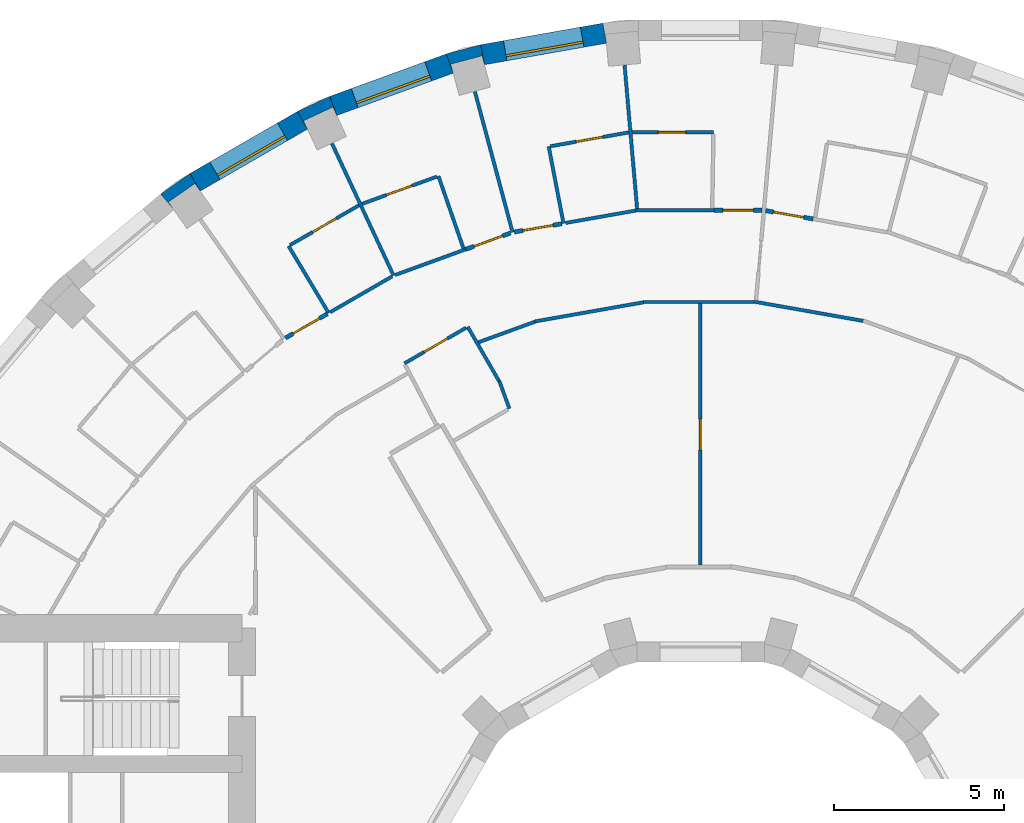
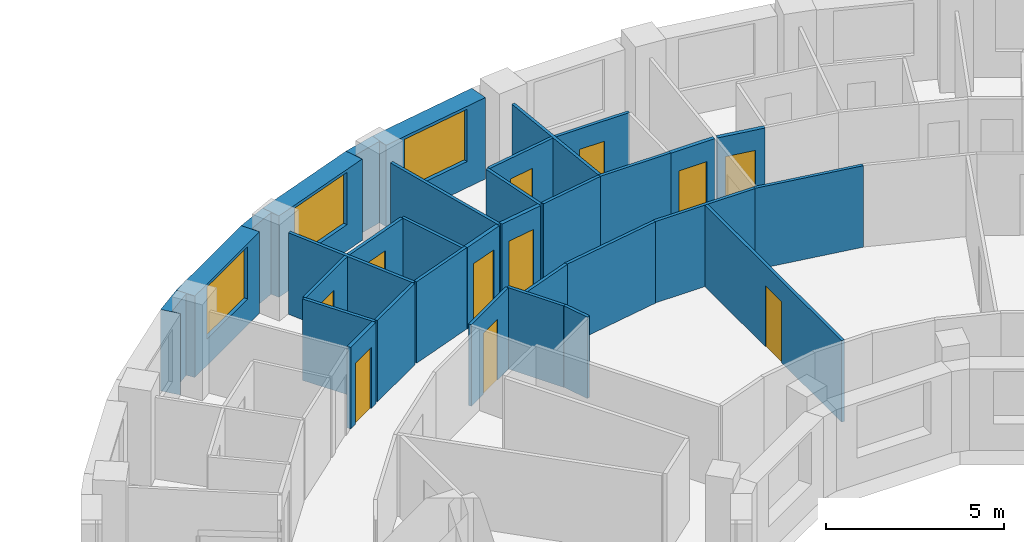
# One storey, part 9 of 12: 33 walls, 11 doors, 3 windows, 14 openings.
"""IFC4 building model written with IfcOpenShell, lengths in metres."""

from ifc_helpers import new_model, si_unit, direction, frame, frame_2d, origin, place, context, subcontext, project, spatial, polyline, rectangle, outline, extrude, material, layer, layer_set, type_object, element, fill, save


model = new_model("IFC4")

# Units and contexts
model_context = context("Model", 3, precision=1e-05, world=origin(), true_north=direction((0.0, 1.0)))
body_context = subcontext(model_context, "Body", "Model", "MODEL_VIEW")
ifc_project = project(units=[si_unit("LENGTHUNIT", "METRE"), si_unit("AREAUNIT", "SQUARE_METRE"), si_unit("VOLUMEUNIT", "CUBIC_METRE"), si_unit("PLANEANGLEUNIT", "RADIAN"), si_unit("MASSUNIT", "GRAM", prefix="KILO")], contexts=[model_context])

# Site, building, storey
site_placement = place(None, origin())
site = spatial("IfcSite", under=ifc_project, at=site_placement, CompositionType="ELEMENT")
building_placement = place(site_placement, origin())
building = spatial("IfcBuilding", under=site, at=building_placement, Name="Saqina Gate Tower", CompositionType="ELEMENT")
storey_placement = place(building_placement, frame((0.0, 0.0, 111.699951171875)))
storey = spatial("IfcBuildingStorey", under=building, at=storey_placement, Name="L31", CompositionType="ELEMENT", Elevation=111.699951171875)

# Walls
ifc_material_1 = material(Name="Brick masonry (buff)", Category="masonry")
wall_type_1 = type_object("IfcWallType", Name="BRICK PIER COPING BUFF", PredefinedType="SOLIDWALL", material=ifc_material_1)
wall_1_placement = place(storey_placement, origin())
element("IfcWall", 1, at=wall_1_placement, inside=storey, type_object=wall_type_1, Name="Pier cap L31 column 11", PredefinedType="SOLIDWALL", context=body_context, shape_type="SweptSolid", body=[
    extrude(outline(polyline([(-6.466796875, 26.171875), (-7.485595703125, 25.89892578125), (-7.2802734375, 25.335205078125), (-7.349853515625, 25.5947265625), (-6.43212890625, 25.8408203125), (-6.36279296875, 25.5810546875), (-6.466796875, 26.171875)])), origin(), (0.0, 0.0, 1.0), 2.800048828125),
])
wall_2_placement = place(storey_placement, origin())
element("IfcWall", 2, at=wall_2_placement, inside=storey, type_object=wall_type_1, Name="Pier cap L31 column 12", PredefinedType="SOLIDWALL", context=body_context, shape_type="SweptSolid", body=[
    extrude(outline(polyline([(-10.913330078125, 24.6513671875), (-11.869140625, 24.205810546875), (-11.569091796875, 23.68603515625), (-11.6826171875, 23.9296875), (-10.82177734375, 24.331298828125), (-10.7080078125, 24.08740234375), (-10.913330078125, 24.6513671875)])), origin(), (0.0, 0.0, 1.0), 2.800048828125),
])
wall_3_placement = place(storey_placement, origin())
element("IfcWall", 3, at=wall_3_placement, inside=storey, type_object=wall_type_1, Name="Pier cap L31 column 13", PredefinedType="SOLIDWALL", context=body_context, shape_type="SweptSolid", body=[
    extrude(outline(polyline([(-15.89208984375, 21.77685546875), (-15.50634765625, 21.317138671875), (-15.66064453125, 21.53759765625), (-14.88232421875, 22.08251953125), (-14.728271484375, 21.862060546875), (-15.0283203125, 22.3818359375), (-15.89208984375, 21.77685546875)])), origin(), (0.0, 0.0, 1.0), 2.800048828125),
])

# Wall, opening, window
ifc_material_2 = material(Name="Brick masonry (buff)", Category="masonry")
ifc_layer_1 = layer(ifc_material_2, 0.60009765625)
ifc_layer_set_1 = layer_set([ifc_layer_1], Name="FW-BRICK-BUFF")
wall_type_2 = type_object("IfcWallType", Name="FW-BRICK-BUFF", PredefinedType="SOLIDWALL", material=ifc_layer_set_1)
wall_4_placement = place(storey_placement, frame((-2.822265625, 26.510009765625, 0.0), z_axis=(0.0, 0.0, 1.0), x_axis=(-0.984803764455, -0.173670796382, 0.0)))
wall_4 = element("IfcWall", 4, at=wall_4_placement, inside=storey, type_object=wall_type_2, Name="Facade wall L31 facet 10", PredefinedType="SOLIDWALL", context=body_context, shape_type="SweptSolid", body=[
    extrude(rectangle(XDim=3.64794921875, YDim=0.60009765625, at=frame_2d((1.823974609375, 0.0))), origin(), (0.0, 0.0, 1.0), 2.800048828125),
])
opening_1_placement = place(wall_4_placement, frame((0.673828125, 0.0, 0.89990234375)))
opening_1 = element("IfcOpeningElement", 5, at=opening_1_placement, cuts=wall_4, Name="Opening G09-W08", PredefinedType="OPENING", context=body_context, shape_type="SweptSolid", body=[
    extrude(rectangle(XDim=2.300048828125, YDim=1.800048828125, at=frame_2d((1.14990234375, 0.89990234375))), frame((0.0, 0.31201171875, 0.0), z_axis=(0.0, -1.0, 0.0), x_axis=(1.0, 0.0, 0.0)), (0.0, 0.0, 1.0), 0.6240234375),
])
ifc_material_3 = material(Name="Aluminium glazing", Category="aluminium")
window_type = type_object("IfcWindowType", Name="WN-B", PartitioningType="SINGLE_PANEL", PredefinedType="WINDOW", material=ifc_material_3)
window_1_placement = place(opening_1_placement, origin())
window_1 = element("IfcWindow", 6, at=window_1_placement, inside=storey, type_object=window_type, Name="Window L31 facet 10", OverallHeight=1.800048828125, OverallWidth=2.300048828125, PartitioningType="SINGLE_PANEL", PredefinedType="WINDOW", context=body_context, shape_type="SweptSolid", body=[
    extrude(rectangle(XDim=2.300048828125, YDim=1.800048828125, at=frame_2d((1.14990234375, 0.89990234375))), frame((0.0, 0.179931640625, 0.0), z_axis=(0.0, -1.0, 0.0), x_axis=(1.0, 0.0, 0.0)), (0.0, 0.0, 1.0), 0.06005859375),
])
fill(opening_1, window_1)

wall_5_placement = place(storey_placement, frame((-7.3828125, 25.616943359375, 0.0), z_axis=(0.0, 0.0, 1.0), x_axis=(-0.939703505393, -0.341990236633, 0.0)))
wall_5 = element("IfcWall", 7, at=wall_5_placement, inside=storey, type_object=wall_type_2, Name="Facade wall L31 facet 11", PredefinedType="SOLIDWALL", context=body_context, shape_type="SweptSolid", body=[
    extrude(rectangle(XDim=3.64794921875, YDim=0.60009765625, at=frame_2d((1.823974609375, 0.0))), origin(), (0.0, 0.0, 1.0), 2.800048828125),
])
opening_2_placement = place(wall_5_placement, frame((0.673828125, 0.0, 0.89990234375)))
opening_2 = element("IfcOpeningElement", 8, at=opening_2_placement, cuts=wall_5, Name="Opening G09-W09", PredefinedType="OPENING", context=body_context, shape_type="SweptSolid", body=[
    extrude(rectangle(XDim=2.300048828125, YDim=1.800048828125, at=frame_2d((1.14990234375, 0.89990234375))), frame((0.0, 0.31201171875, 0.0), z_axis=(0.0, -1.0, 0.0), x_axis=(1.0, 0.0, 0.0)), (0.0, 0.0, 1.0), 0.6240234375),
])
window_2_placement = place(opening_2_placement, origin())
window_2 = element("IfcWindow", 9, at=window_2_placement, inside=storey, type_object=window_type, Name="Window L31 facet 11", OverallHeight=1.800048828125, OverallWidth=2.300048828125, PartitioningType="SINGLE_PANEL", PredefinedType="WINDOW", context=body_context, shape_type="SweptSolid", body=[
    extrude(rectangle(XDim=2.300048828125, YDim=1.800048828125, at=frame_2d((1.14990234375, 0.89990234375))), frame((0.0, 0.179931640625, 0.0), z_axis=(0.0, -1.0, 0.0), x_axis=(1.0, 0.0, 0.0)), (0.0, 0.0, 1.0), 0.06005859375),
])
fill(opening_2, window_2)

wall_6_placement = place(storey_placement, frame((-11.718994140625, 23.94580078125, 0.0), z_axis=(0.0, 0.0, 1.0), x_axis=(-0.866051847062, -0.499954196102, 0.0)))
wall_6 = element("IfcWall", 10, at=wall_6_placement, inside=storey, type_object=wall_type_2, Name="Facade wall L31 facet 12", PredefinedType="SOLIDWALL", context=body_context, shape_type="SweptSolid", body=[
    extrude(rectangle(XDim=3.647705078125, YDim=0.60009765625, at=frame_2d((1.82373046875, 0.0))), origin(), (0.0, 0.0, 1.0), 2.800048828125),
])
opening_3_placement = place(wall_6_placement, frame((0.673828125, 0.0, 0.89990234375)))
opening_3 = element("IfcOpeningElement", 11, at=opening_3_placement, cuts=wall_6, Name="Opening G09-W10", PredefinedType="OPENING", context=body_context, shape_type="SweptSolid", body=[
    extrude(rectangle(XDim=2.300048828125, YDim=1.800048828125, at=frame_2d((1.14990234375, 0.89990234375))), frame((0.0, 0.31201171875, 0.0), z_axis=(0.0, -1.0, 0.0), x_axis=(1.0, 0.0, 0.0)), (0.0, 0.0, 1.0), 0.6240234375),
])
window_3_placement = place(opening_3_placement, origin())
window_3 = element("IfcWindow", 12, at=window_3_placement, inside=storey, type_object=window_type, Name="Window L31 facet 12", OverallHeight=1.800048828125, OverallWidth=2.300048828125, PartitioningType="SINGLE_PANEL", PredefinedType="WINDOW", context=body_context, shape_type="SweptSolid", body=[
    extrude(rectangle(XDim=2.300048828125, YDim=1.800048828125, at=frame_2d((1.14990234375, 0.89990234375))), frame((0.0, 0.179931640625, 0.0), z_axis=(0.0, -1.0, 0.0), x_axis=(1.0, 0.0, 0.0)), (0.0, 0.0, 1.0), 0.06005859375),
])
fill(opening_3, window_3)

# Wall, opening, door
ifc_material_4 = material(Name="Gypsum board on steel studs, 100 mm", Category="steel")
ifc_layer_2 = layer(ifc_material_4, 0.10009765625)
ifc_layer_set_2 = layer_set([ifc_layer_2], Name="PARTITION 100")
wall_type_3 = type_object("IfcWallType", Name="PARTITION 100", PredefinedType="PARTITIONING", material=ifc_layer_set_2)
wall_7_placement = place(storey_placement, frame((-0.010986328125, 18.549072265625, 0.0), z_axis=(0.0, 0.0, 1.0), x_axis=(0.00063524317, -0.999999798233, 0.0)))
wall_7 = element("IfcWall", 13, at=wall_7_placement, inside=storey, type_object=wall_type_3, Name="PARTITION PW3-01", PredefinedType="PARTITIONING", context=body_context, shape_type="SweptSolid", body=[
    extrude(rectangle(XDim=7.6865234375, YDim=0.10009765625, at=frame_2d((3.84326171875, 0.0))), origin(), (0.0, 0.0, 1.0), 2.800048828125),
])
opening_4_placement = place(wall_7_placement, frame((3.400390625, 0.0, 0.0)))
opening_4 = element("IfcOpeningElement", 14, at=opening_4_placement, cuts=wall_7, Name="Opening G09-D12", PredefinedType="OPENING", context=body_context, shape_type="SweptSolid", body=[
    extrude(rectangle(XDim=0.89990234375, YDim=2.10009765625, at=frame_2d((0.449951171875, 1.050048828125))), frame((0.0, 0.06201171875, 0.0), z_axis=(0.0, -1.0, 0.0), x_axis=(1.0, 0.0, 0.0)), (0.0, 0.0, 1.0), 0.1240234375),
])
ifc_material_5 = material(Name="Timber door leaf, 900 mm", Category="wood")
door_type_1 = type_object("IfcDoorType", Name="DOOR 900 TIMBER", OperationType="SINGLE_SWING_LEFT", PredefinedType="DOOR", material=ifc_material_5)
door_1_placement = place(opening_4_placement, frame((0.89990234375, 0.0, 0.0), z_axis=(0.0, 0.0, 1.0), x_axis=(-1.0, 0.0, 0.0)))
door_1 = element("IfcDoor", 15, at=door_1_placement, inside=storey, type_object=door_type_1, Name="DOOR G09-D12", OperationType="SINGLE_SWING_LEFT", OverallHeight=2.10009765625, OverallWidth=0.89990234375, PredefinedType="DOOR", context=body_context, shape_type="SweptSolid", body=[
    extrude(rectangle(XDim=0.89990234375, YDim=2.10009765625, at=frame_2d((0.449951171875, 1.050048828125))), frame((0.0, 0.02490234375, 0.0), z_axis=(0.0, -1.0, 0.0), x_axis=(1.0, 0.0, 0.0)), (0.0, 0.0, 1.0), 0.050048828125),
])
fill(opening_4, door_1)

# Walls
wall_8_placement = place(storey_placement, frame((-2.2373046875, 25.5673828125, 0.0), z_axis=(0.0, 0.0, 1.0), x_axis=(0.087069733525, -0.996202219182, 0.0)))
element("IfcWall", 16, at=wall_8_placement, inside=storey, type_object=wall_type_3, Name="PARTITION PW3-03", PredefinedType="PARTITIONING", context=body_context, shape_type="SweptSolid", body=[
    extrude(rectangle(XDim=4.23681640625, YDim=0.10009765625, at=frame_2d((2.118408203125, 0.0))), origin(), (0.0, 0.0, 1.0), 2.800048828125),
])
wall_9_placement = place(storey_placement, frame((-4.469970703125, 23.173095703125, 0.0), z_axis=(0.0, 0.0, 1.0), x_axis=(0.189111104653, -0.981955696606, 0.0)))
element("IfcWall", 17, at=wall_9_placement, inside=storey, type_object=wall_type_3, Name="PARTITION PW3-05", PredefinedType="PARTITIONING", context=body_context, shape_type="SweptSolid", body=[
    extrude(rectangle(XDim=2.300537109375, YDim=0.10009765625, at=frame_2d((1.150390625, 0.0))), origin(), (0.0, 0.0, 1.0), 2.800048828125),
])
wall_10_placement = place(storey_placement, frame((-6.642333984375, 24.79052734375, 0.0), z_axis=(0.0, 0.0, 1.0), x_axis=(0.258796817064, -0.965931782, 0.0)))
element("IfcWall", 18, at=wall_10_placement, inside=storey, type_object=wall_type_3, Name="PARTITION PW3-06", PredefinedType="PARTITIONING", context=body_context, shape_type="SweptSolid", body=[
    extrude(rectangle(XDim=4.28662109375, YDim=0.10009765625, at=frame_2d((2.143310546875, 0.0))), origin(), (0.0, 0.0, 1.0), 2.800048828125),
])
wall_11_placement = place(storey_placement, frame((-7.715087890625, 22.303955078125, 0.0), z_axis=(0.0, 0.0, 1.0), x_axis=(0.326980146938, -0.94503120769, 0.0)))
element("IfcWall", 19, at=wall_11_placement, inside=storey, type_object=wall_type_3, Name="PARTITION PW3-07", PredefinedType="PARTITIONING", context=body_context, shape_type="SweptSolid", body=[
    extrude(rectangle(XDim=2.25048828125, YDim=0.10009765625, at=frame_2d((1.125244140625, 0.0))), origin(), (0.0, 0.0, 1.0), 2.800048828125),
])
wall_12_placement = place(storey_placement, frame((-5.92529296875, 16.27880859375, 0.0), z_axis=(0.0, 0.0, 1.0), x_axis=(0.3425983225, -0.939481979295, 0.0)))
element("IfcWall", 20, at=wall_12_placement, inside=storey, type_object=wall_type_3, Name="PARTITION PW3-08", PredefinedType="PARTITIONING", context=body_context, shape_type="SweptSolid", body=[
    extrude(rectangle(XDim=0.870849609375, YDim=0.10009765625, at=frame_2d((0.435546875, 0.0))), origin(), (0.0, 0.0, 1.0), 2.800048828125),
])
wall_13_placement = place(storey_placement, frame((-10.84716796875, 23.260009765625, 0.0), z_axis=(0.0, 0.0, 1.0), x_axis=(0.422829334028, -0.906209332487, 0.0)))
element("IfcWall", 21, at=wall_13_placement, inside=storey, type_object=wall_type_3, Name="PARTITION PW3-09", PredefinedType="PARTITIONING", context=body_context, shape_type="SweptSolid", body=[
    extrude(rectangle(XDim=4.2861328125, YDim=0.10009765625, at=frame_2d((2.14306640625, 0.0))), origin(), (0.0, 0.0, 1.0), 2.800048828125),
])
wall_14_placement = place(storey_placement, frame((-6.85302734375, 17.867919921875, 0.0), z_axis=(0.0, 0.0, 1.0), x_axis=(0.499963655964, -0.866046386007, 0.0)))
element("IfcWall", 22, at=wall_14_placement, inside=storey, type_object=wall_type_3, Name="PARTITION PW3-13", PredefinedType="PARTITIONING", context=body_context, shape_type="SweptSolid", body=[
    extrude(rectangle(XDim=1.840087890625, YDim=0.10009765625, at=frame_2d((0.919921875, 0.0))), origin(), (0.0, 0.0, 1.0), 2.800048828125),
])
wall_15_placement = place(storey_placement, frame((-12.1259765625, 20.2470703125, 0.0), z_axis=(0.0, 0.0, 1.0), x_axis=(0.513668498435, -0.857988737522, 0.0)))
element("IfcWall", 23, at=wall_15_placement, inside=storey, type_object=wall_type_3, Name="PARTITION PW3-15", PredefinedType="PARTITIONING", context=body_context, shape_type="SweptSolid", body=[
    extrude(rectangle(XDim=2.30078125, YDim=0.10009765625, at=frame_2d((1.150390625, 0.0))), origin(), (0.0, 0.0, 1.0), 2.800048828125),
])
wall_16_placement = place(storey_placement, frame((1.576904296875, 18.60791015625, 0.0), z_axis=(0.0, 0.0, 1.0), x_axis=(0.984812236301, -0.173622749755, 0.0)))
element("IfcWall", 24, at=wall_16_placement, inside=storey, type_object=wall_type_3, Name="PARTITION PW3-49", PredefinedType="PARTITIONING", context=body_context, shape_type="SweptSolid", body=[
    extrude(rectangle(XDim=3.25537109375, YDim=0.10009765625, at=frame_2d((1.627685546875, 0.0))), origin(), (0.0, 0.0, 1.0), 2.800048828125),
])
wall_17_placement = place(storey_placement, frame((-1.677734375, 18.59912109375, 0.0), z_axis=(0.0, 0.0, 1.0), x_axis=(1.0, 0.0, 0.0)))
element("IfcWall", 25, at=wall_17_placement, inside=storey, type_object=wall_type_3, Name="PARTITION PW3-55", PredefinedType="PARTITIONING", context=body_context, shape_type="SweptSolid", body=[
    extrude(rectangle(XDim=3.254638671875, YDim=0.10009765625, at=frame_2d((1.62744140625, 0.0))), origin(), (0.0, 0.0, 1.0), 2.800048828125),
])
wall_18_placement = place(storey_placement, frame((-1.913818359375, 21.297119140625, 0.0), z_axis=(0.0, 0.0, 1.0), x_axis=(1.0, 0.0, 0.0)))
element("IfcWall", 26, at=wall_18_placement, inside=storey, type_object=wall_type_3, Name="PARTITION PW3-56", PredefinedType="PARTITIONING", context=body_context, shape_type="SweptSolid", body=[
    extrude(rectangle(XDim=2.304931640625, YDim=0.10009765625, at=frame_2d((1.15234375, 0.0))), origin(), (0.0, 0.0, 1.0), 2.800048828125),
])

# Wall, opening, door
wall_19_placement = place(storey_placement, frame((-2.013916015625, 23.596923828125, 0.0), z_axis=(0.0, 0.0, 1.0), x_axis=(1.0, 0.0, 0.0)))
wall_19 = element("IfcWall", 27, at=wall_19_placement, inside=storey, type_object=wall_type_3, Name="PARTITION PW3-57", PredefinedType="PARTITIONING", context=body_context, shape_type="SweptSolid", body=[
    extrude(rectangle(XDim=2.391845703125, YDim=0.10009765625, at=frame_2d((1.19580078125, 0.0))), origin(), (0.0, 0.0, 1.0), 2.800048828125),
])
opening_5_placement = place(wall_19_placement, frame((0.77099609375, 0.0, 0.0)))
opening_5 = element("IfcOpeningElement", 28, at=opening_5_placement, cuts=wall_19, Name="Opening G09-D13", PredefinedType="OPENING", context=body_context, shape_type="SweptSolid", body=[
    extrude(rectangle(XDim=0.800048828125, YDim=2.10009765625, at=frame_2d((0.39990234375, 1.050048828125))), frame((0.0, 0.06201171875, 0.0), z_axis=(0.0, -1.0, 0.0), x_axis=(1.0, 0.0, 0.0)), (0.0, 0.0, 1.0), 0.1240234375),
])
ifc_material_6 = material(Name="Timber door leaf, 800 mm", Category="wood")
door_type_2 = type_object("IfcDoorType", Name="DOOR 800 TIMBER", OperationType="SINGLE_SWING_LEFT", PredefinedType="DOOR", material=ifc_material_6)
door_2_placement = place(opening_5_placement, origin())
door_2 = element("IfcDoor", 29, at=door_2_placement, inside=storey, type_object=door_type_2, Name="DOOR G09-D13", OperationType="SINGLE_SWING_LEFT", OverallHeight=2.10009765625, OverallWidth=0.800048828125, PredefinedType="DOOR", context=body_context, shape_type="SweptSolid", body=[
    extrude(rectangle(XDim=0.800048828125, YDim=2.10009765625, at=frame_2d((0.39990234375, 1.050048828125))), frame((0.0, 0.02490234375, 0.0), z_axis=(0.0, -1.0, 0.0), x_axis=(1.0, 0.0, 0.0)), (0.0, 0.0, 1.0), 0.050048828125),
])
fill(opening_5, door_2)

# Walls
wall_20_placement = place(storey_placement, frame((-4.882080078125, 18.025146484375, 0.0), z_axis=(0.0, 0.0, 1.0), x_axis=(0.984812236301, 0.173622749755, 0.0)))
element("IfcWall", 30, at=wall_20_placement, inside=storey, type_object=wall_type_3, Name="PARTITION PW3-61", PredefinedType="PARTITIONING", context=body_context, shape_type="SweptSolid", body=[
    extrude(rectangle(XDim=3.25537109375, YDim=0.10009765625, at=frame_2d((1.627685546875, 0.0))), origin(), (0.0, 0.0, 1.0), 2.800048828125),
])
wall_21_placement = place(storey_placement, frame((-3.973388671875, 20.9248046875, 0.0), z_axis=(0.0, 0.0, 1.0), x_axis=(0.984798821906, 0.173698820874, 0.0)))
element("IfcWall", 31, at=wall_21_placement, inside=storey, type_object=wall_type_3, Name="PARTITION PW3-62", PredefinedType="PARTITIONING", context=body_context, shape_type="SweptSolid", body=[
    extrude(rectangle(XDim=2.0927734375, YDim=0.10009765625, at=frame_2d((1.04638671875, 0.0))), origin(), (0.0, 0.0, 1.0), 2.800048828125),
])

# Wall, opening, door
wall_22_placement = place(storey_placement, frame((-4.420654296875, 23.181640625, 0.0), z_axis=(0.0, 0.0, 1.0), x_axis=(0.98481606109, 0.173601053621, 0.0)))
wall_22 = element("IfcWall", 32, at=wall_22_placement, inside=storey, type_object=wall_type_3, Name="PARTITION PW3-63", PredefinedType="PARTITIONING", context=body_context, shape_type="SweptSolid", body=[
    extrude(rectangle(XDim=2.343017578125, YDim=0.10009765625, at=frame_2d((1.17138671875, 0.0))), origin(), (0.0, 0.0, 1.0), 2.800048828125),
])
opening_6_placement = place(wall_22_placement, frame((0.771484375, 0.0, 0.0)))
opening_6 = element("IfcOpeningElement", 33, at=opening_6_placement, cuts=wall_22, Name="Opening G09-D14", PredefinedType="OPENING", context=body_context, shape_type="SweptSolid", body=[
    extrude(rectangle(XDim=0.800048828125, YDim=2.10009765625, at=frame_2d((0.39990234375, 1.050048828125))), frame((0.0, 0.06201171875, 0.0), z_axis=(0.0, -1.0, 0.0), x_axis=(1.0, 0.0, 0.0)), (0.0, 0.0, 1.0), 0.1240234375),
])
door_3_placement = place(opening_6_placement, origin())
door_3 = element("IfcDoor", 34, at=door_3_placement, inside=storey, type_object=door_type_2, Name="DOOR G09-D14", OperationType="SINGLE_SWING_LEFT", OverallHeight=2.10009765625, OverallWidth=0.800048828125, PredefinedType="DOOR", context=body_context, shape_type="SweptSolid", body=[
    extrude(rectangle(XDim=0.800048828125, YDim=2.10009765625, at=frame_2d((0.39990234375, 1.050048828125))), frame((0.0, 0.02490234375, 0.0), z_axis=(0.0, -1.0, 0.0), x_axis=(1.0, 0.0, 0.0)), (0.0, 0.0, 1.0), 0.050048828125),
])
fill(opening_6, door_3)

# Walls
wall_23_placement = place(storey_placement, frame((-6.533935546875, 17.4140625, 0.0), z_axis=(0.0, 0.0, 1.0), x_axis=(0.93961928365, 0.342221568275, 0.0)))
element("IfcWall", 35, at=wall_23_placement, inside=storey, type_object=wall_type_3, Name="PARTITION PW3-64", PredefinedType="PARTITIONING", context=body_context, shape_type="SweptSolid", body=[
    extrude(rectangle(XDim=1.761474609375, YDim=0.10009765625, at=frame_2d((0.880859375, 0.0))), origin(), (0.0, 0.0, 1.0), 2.800048828125),
])
wall_24_placement = place(storey_placement, frame((-8.988037109375, 19.39306640625, 0.0), z_axis=(0.0, 0.0, 1.0), x_axis=(0.939693168022, 0.342018639804, 0.0)))
element("IfcWall", 36, at=wall_24_placement, inside=storey, type_object=wall_type_3, Name="PARTITION PW3-65", PredefinedType="PARTITIONING", context=body_context, shape_type="SweptSolid", body=[
    extrude(rectangle(XDim=2.205078125, YDim=0.10009765625, at=frame_2d((1.1025390625, 0.0))), origin(), (0.0, 0.0, 1.0), 2.800048828125),
])

# Wall, opening, door
wall_25_placement = place(storey_placement, frame((-9.964111328125, 21.485107421875, 0.0), z_axis=(0.0, 0.0, 1.0), x_axis=(0.939659520623, 0.342111071588, 0.0)))
wall_25 = element("IfcWall", 37, at=wall_25_placement, inside=storey, type_object=wall_type_3, Name="PARTITION PW3-66", PredefinedType="PARTITIONING", context=body_context, shape_type="SweptSolid", body=[
    extrude(rectangle(XDim=2.343505859375, YDim=0.10009765625, at=frame_2d((1.171875, 0.0))), origin(), (0.0, 0.0, 1.0), 2.800048828125),
])
opening_7_placement = place(wall_25_placement, frame((0.771728515625, 0.0, 0.0)))
opening_7 = element("IfcOpeningElement", 38, at=opening_7_placement, cuts=wall_25, Name="Opening G09-D17", PredefinedType="OPENING", context=body_context, shape_type="SweptSolid", body=[
    extrude(rectangle(XDim=0.800048828125, YDim=2.10009765625, at=frame_2d((0.39990234375, 1.050048828125))), frame((0.0, 0.06201171875, 0.0), z_axis=(0.0, -1.0, 0.0), x_axis=(1.0, 0.0, 0.0)), (0.0, 0.0, 1.0), 0.1240234375),
])
door_4_placement = place(opening_7_placement, origin())
door_4 = element("IfcDoor", 39, at=door_4_placement, inside=storey, type_object=door_type_2, Name="DOOR G09-D17", OperationType="SINGLE_SWING_LEFT", OverallHeight=2.10009765625, OverallWidth=0.800048828125, PredefinedType="DOOR", context=body_context, shape_type="SweptSolid", body=[
    extrude(rectangle(XDim=0.800048828125, YDim=2.10009765625, at=frame_2d((0.39990234375, 1.050048828125))), frame((0.0, 0.02490234375, 0.0), z_axis=(0.0, -1.0, 0.0), x_axis=(1.0, 0.0, 0.0)), (0.0, 0.0, 1.0), 0.050048828125),
])
fill(opening_7, door_4)

wall_26_placement = place(storey_placement, frame((-8.717041015625, 16.791015625, 0.0), z_axis=(0.0, 0.0, 1.0), x_axis=(0.865866191869, 0.50027566179, 0.0)))
wall_26 = element("IfcWall", 40, at=wall_26_placement, inside=storey, type_object=wall_type_3, Name="PARTITION PW3-69", PredefinedType="PARTITIONING", context=body_context, shape_type="SweptSolid", body=[
    extrude(rectangle(XDim=2.100830078125, YDim=0.10009765625, at=frame_2d((1.05029296875, 0.0))), origin(), (0.0, 0.0, 1.0), 2.800048828125),
])
opening_8_placement = place(wall_26_placement, frame((0.676513671875, 0.0, 0.0)))
opening_8 = element("IfcOpeningElement", 41, at=opening_8_placement, cuts=wall_26, Name="Opening G09-D18", PredefinedType="OPENING", context=body_context, shape_type="SweptSolid", body=[
    extrude(rectangle(XDim=0.800048828125, YDim=2.10009765625, at=frame_2d((0.39990234375, 1.050048828125))), frame((0.0, 0.06201171875, 0.0), z_axis=(0.0, -1.0, 0.0), x_axis=(1.0, 0.0, 0.0)), (0.0, 0.0, 1.0), 0.1240234375),
])
door_5_placement = place(opening_8_placement, origin())
door_5 = element("IfcDoor", 42, at=door_5_placement, inside=storey, type_object=door_type_2, Name="DOOR G09-D18", OperationType="SINGLE_SWING_RIGHT", OverallHeight=2.10009765625, OverallWidth=0.800048828125, PredefinedType="DOOR", context=body_context, shape_type="SweptSolid", body=[
    extrude(rectangle(XDim=0.800048828125, YDim=2.10009765625, at=frame_2d((0.39990234375, 1.050048828125))), frame((0.0, 0.02490234375, 0.0), z_axis=(0.0, -1.0, 0.0), x_axis=(1.0, 0.0, 0.0)), (0.0, 0.0, 1.0), 0.050048828125),
])
fill(opening_8, door_5)

# Wall
wall_27_placement = place(storey_placement, frame((-10.900634765625, 18.298095703125, 0.0), z_axis=(0.0, 0.0, 1.0), x_axis=(0.865841622723, 0.50031818312, 0.0)))
element("IfcWall", 43, at=wall_27_placement, inside=storey, type_object=wall_type_3, Name="PARTITION PW3-70", PredefinedType="PARTITIONING", context=body_context, shape_type="SweptSolid", body=[
    extrude(rectangle(XDim=2.104736328125, YDim=0.10009765625, at=frame_2d((1.05224609375, 0.0))), origin(), (0.0, 0.0, 1.0), 2.800048828125),
])

# Wall, opening, door
wall_28_placement = place(storey_placement, frame((-12.082763671875, 20.27197265625, 0.0), z_axis=(0.0, 0.0, 1.0), x_axis=(0.86603458294, 0.499984100898, 0.0)))
wall_28 = element("IfcWall", 44, at=wall_28_placement, inside=storey, type_object=wall_type_3, Name="PARTITION PW3-71", PredefinedType="PARTITIONING", context=body_context, shape_type="SweptSolid", body=[
    extrude(rectangle(XDim=2.34228515625, YDim=0.10009765625, at=frame_2d((1.171142578125, 0.0))), origin(), (0.0, 0.0, 1.0), 2.800048828125),
])
opening_9_placement = place(wall_28_placement, frame((0.77099609375, 0.0, 0.0)))
opening_9 = element("IfcOpeningElement", 45, at=opening_9_placement, cuts=wall_28, Name="Opening G09-D19", PredefinedType="OPENING", context=body_context, shape_type="SweptSolid", body=[
    extrude(rectangle(XDim=0.800048828125, YDim=2.10009765625, at=frame_2d((0.39990234375, 1.050048828125))), frame((0.0, 0.06201171875, 0.0), z_axis=(0.0, -1.0, 0.0), x_axis=(1.0, 0.0, 0.0)), (0.0, 0.0, 1.0), 0.1240234375),
])
door_6_placement = place(opening_9_placement, origin())
door_6 = element("IfcDoor", 46, at=door_6_placement, inside=storey, type_object=door_type_2, Name="DOOR G09-D19", OperationType="SINGLE_SWING_RIGHT", OverallHeight=2.10009765625, OverallWidth=0.800048828125, PredefinedType="DOOR", context=body_context, shape_type="SweptSolid", body=[
    extrude(rectangle(XDim=0.800048828125, YDim=2.10009765625, at=frame_2d((0.39990234375, 1.050048828125))), frame((0.0, 0.02490234375, 0.0), z_axis=(0.0, -1.0, 0.0), x_axis=(1.0, 0.0, 0.0)), (0.0, 0.0, 1.0), 0.050048828125),
])
fill(opening_9, door_6)

ifc_material_7 = material(Name="Gypsum board on steel studs, 125 mm, fire rated", Category="steel")
ifc_layer_3 = layer(ifc_material_7, 0.125)
ifc_layer_set_3 = layer_set([ifc_layer_3], Name="PARTITION EI 30 125")
wall_type_4 = type_object("IfcWallType", Name="PARTITION EI 30 125", PredefinedType="PARTITIONING", material=ifc_layer_set_3)
wall_29_placement = place(storey_placement, frame((1.912353515625, 21.288330078125, 0.0), z_axis=(0.0, 0.0, 1.0), x_axis=(0.984849170905, -0.173413121097, 0.0)))
wall_29 = element("IfcWall", 47, at=wall_29_placement, inside=storey, type_object=wall_type_4, Name="PARTITION PW1-22", PredefinedType="PARTITIONING", context=body_context, shape_type="SweptSolid", body=[
    extrude(rectangle(XDim=1.421875, YDim=0.125, at=frame_2d((0.7109375, 0.0))), origin(), (0.0, 0.0, 1.0), 2.800048828125),
])
opening_10_placement = place(wall_29_placement, frame((0.2373046875, 0.0, 0.0)))
opening_10 = element("IfcOpeningElement", 48, at=opening_10_placement, cuts=wall_29, Name="Opening G09-D09", PredefinedType="OPENING", context=body_context, shape_type="SweptSolid", body=[
    extrude(rectangle(XDim=0.89990234375, YDim=2.10009765625, at=frame_2d((0.449951171875, 1.050048828125))), frame((0.0, 0.074462890625, 0.0), z_axis=(0.0, -1.0, 0.0), x_axis=(1.0, 0.0, 0.0)), (0.0, 0.0, 1.0), 0.14892578125),
])
ifc_material_8 = material(Name="Fire door leaf EI 30, 900 mm")
door_type_3 = type_object("IfcDoorType", Name="DOOR 900 EI 30", OperationType="SINGLE_SWING_LEFT", PredefinedType="DOOR", material=ifc_material_8)
door_7_placement = place(opening_10_placement, frame((0.89990234375, 0.0, 0.0), z_axis=(0.0, 0.0, 1.0), x_axis=(-1.0, 0.0, 0.0)))
door_7 = element("IfcDoor", 49, at=door_7_placement, inside=storey, type_object=door_type_3, Name="DOOR G09-D09", OperationType="SINGLE_SWING_RIGHT", OverallHeight=2.10009765625, OverallWidth=0.89990234375, PredefinedType="DOOR", context=body_context, shape_type="SweptSolid", body=[
    extrude(rectangle(XDim=0.89990234375, YDim=2.10009765625, at=frame_2d((0.449951171875, 1.050048828125))), frame((0.0, 0.02490234375, 0.0), z_axis=(0.0, -1.0, 0.0), x_axis=(1.0, 0.0, 0.0)), (0.0, 0.0, 1.0), 0.050048828125),
])
fill(opening_10, door_7)

wall_30_placement = place(storey_placement, frame((0.39111328125, 21.297119140625, 0.0), z_axis=(0.0, 0.0, 1.0), x_axis=(1.0, 0.0, 0.0)))
wall_30 = element("IfcWall", 50, at=wall_30_placement, inside=storey, type_object=wall_type_4, Name="PARTITION PW1-26", PredefinedType="PARTITIONING", context=body_context, shape_type="SweptSolid", body=[
    extrude(rectangle(XDim=1.421875, YDim=0.125, at=frame_2d((0.7109375, 0.0))), origin(), (0.0, 0.0, 1.0), 2.800048828125),
])
opening_11_placement = place(wall_30_placement, frame((0.260986328125, 0.0, 0.0)))
opening_11 = element("IfcOpeningElement", 51, at=opening_11_placement, cuts=wall_30, Name="Opening G09-D11", PredefinedType="OPENING", context=body_context, shape_type="SweptSolid", body=[
    extrude(rectangle(XDim=0.89990234375, YDim=2.10009765625, at=frame_2d((0.449951171875, 1.050048828125))), frame((0.0, 0.074462890625, 0.0), z_axis=(0.0, -1.0, 0.0), x_axis=(1.0, 0.0, 0.0)), (0.0, 0.0, 1.0), 0.14892578125),
])
door_8_placement = place(opening_11_placement, frame((0.89990234375, 0.0, 0.0), z_axis=(0.0, 0.0, 1.0), x_axis=(-1.0, 0.0, 0.0)))
door_8 = element("IfcDoor", 52, at=door_8_placement, inside=storey, type_object=door_type_3, Name="DOOR G09-D11", OperationType="SINGLE_SWING_LEFT", OverallHeight=2.10009765625, OverallWidth=0.89990234375, PredefinedType="DOOR", context=body_context, shape_type="SweptSolid", body=[
    extrude(rectangle(XDim=0.89990234375, YDim=2.10009765625, at=frame_2d((0.449951171875, 1.050048828125))), frame((0.0, 0.02490234375, 0.0), z_axis=(0.0, -1.0, 0.0), x_axis=(1.0, 0.0, 0.0)), (0.0, 0.0, 1.0), 0.050048828125),
])
fill(opening_11, door_8)

wall_31_placement = place(storey_placement, frame((-5.483642578125, 20.658447265625, 0.0), z_axis=(0.0, 0.0, 1.0), x_axis=(0.985189047637, 0.17147168984, 0.0)))
wall_31 = element("IfcWall", 53, at=wall_31_placement, inside=storey, type_object=wall_type_4, Name="PARTITION PW1-27", PredefinedType="PARTITIONING", context=body_context, shape_type="SweptSolid", body=[
    extrude(rectangle(XDim=1.4208984375, YDim=0.125, at=frame_2d((0.71044921875, 0.0))), origin(), (0.0, 0.0, 1.0), 2.800048828125),
])
opening_12_placement = place(wall_31_placement, frame((0.260498046875, 0.0, 0.0)))
opening_12 = element("IfcOpeningElement", 54, at=opening_12_placement, cuts=wall_31, Name="Opening G09-D15", PredefinedType="OPENING", context=body_context, shape_type="SweptSolid", body=[
    extrude(rectangle(XDim=0.89990234375, YDim=2.10009765625, at=frame_2d((0.449951171875, 1.050048828125))), frame((0.0, 0.074462890625, 0.0), z_axis=(0.0, -1.0, 0.0), x_axis=(1.0, 0.0, 0.0)), (0.0, 0.0, 1.0), 0.14892578125),
])
door_9_placement = place(opening_12_placement, frame((0.89990234375, 0.0, 0.0), z_axis=(0.0, 0.0, 1.0), x_axis=(-1.0, 0.0, 0.0)))
door_9 = element("IfcDoor", 55, at=door_9_placement, inside=storey, type_object=door_type_3, Name="DOOR G09-D15", OperationType="SINGLE_SWING_RIGHT", OverallHeight=2.10009765625, OverallWidth=0.89990234375, PredefinedType="DOOR", context=body_context, shape_type="SweptSolid", body=[
    extrude(rectangle(XDim=0.89990234375, YDim=2.10009765625, at=frame_2d((0.449951171875, 1.050048828125))), frame((0.0, 0.02490234375, 0.0), z_axis=(0.0, -1.0, 0.0), x_axis=(1.0, 0.0, 0.0)), (0.0, 0.0, 1.0), 0.050048828125),
])
fill(opening_12, door_9)

wall_32_placement = place(storey_placement, frame((-6.916015625, 20.14697265625, 0.0), z_axis=(0.0, 0.0, 1.0), x_axis=(0.9397580078, 0.341840440522, 0.0)))
wall_32 = element("IfcWall", 56, at=wall_32_placement, inside=storey, type_object=wall_type_4, Name="PARTITION PW1-33", PredefinedType="PARTITIONING", context=body_context, shape_type="SweptSolid", body=[
    extrude(rectangle(XDim=1.4091796875, YDim=0.125, at=frame_2d((0.70458984375, 0.0))), origin(), (0.0, 0.0, 1.0), 2.800048828125),
])
opening_13_placement = place(wall_32_placement, frame((0.26025390625, 0.0, 0.0)))
opening_13 = element("IfcOpeningElement", 57, at=opening_13_placement, cuts=wall_32, Name="Opening G09-D16", PredefinedType="OPENING", context=body_context, shape_type="SweptSolid", body=[
    extrude(rectangle(XDim=0.89990234375, YDim=2.10009765625, at=frame_2d((0.449951171875, 1.050048828125))), frame((0.0, 0.074462890625, 0.0), z_axis=(0.0, -1.0, 0.0), x_axis=(1.0, 0.0, 0.0)), (0.0, 0.0, 1.0), 0.14892578125),
])
door_10_placement = place(opening_13_placement, frame((0.89990234375, 0.0, 0.0), z_axis=(0.0, 0.0, 1.0), x_axis=(-1.0, 0.0, 0.0)))
door_10 = element("IfcDoor", 58, at=door_10_placement, inside=storey, type_object=door_type_3, Name="DOOR G09-D16", OperationType="SINGLE_SWING_LEFT", OverallHeight=2.10009765625, OverallWidth=0.89990234375, PredefinedType="DOOR", context=body_context, shape_type="SweptSolid", body=[
    extrude(rectangle(XDim=0.89990234375, YDim=2.10009765625, at=frame_2d((0.449951171875, 1.050048828125))), frame((0.0, 0.02490234375, 0.0), z_axis=(0.0, -1.0, 0.0), x_axis=(1.0, 0.0, 0.0)), (0.0, 0.0, 1.0), 0.050048828125),
])
fill(opening_13, door_10)

wall_33_placement = place(storey_placement, frame((-12.21875, 17.537109375, 0.0), z_axis=(0.0, 0.0, 1.0), x_axis=(0.866036909293, 0.499980071345, 0.0)))
wall_33 = element("IfcWall", 59, at=wall_33_placement, inside=storey, type_object=wall_type_4, Name="PARTITION PW1-36", PredefinedType="PARTITIONING", context=body_context, shape_type="SweptSolid", body=[
    extrude(rectangle(XDim=1.421875, YDim=0.125, at=frame_2d((0.7109375, 0.0))), origin(), (0.0, 0.0, 1.0), 2.800048828125),
])
opening_14_placement = place(wall_33_placement, frame((0.260986328125, 0.0, 0.0)))
opening_14 = element("IfcOpeningElement", 60, at=opening_14_placement, cuts=wall_33, Name="Opening G09-D20", PredefinedType="OPENING", context=body_context, shape_type="SweptSolid", body=[
    extrude(rectangle(XDim=0.89990234375, YDim=2.10009765625, at=frame_2d((0.449951171875, 1.050048828125))), frame((0.0, 0.074462890625, 0.0), z_axis=(0.0, -1.0, 0.0), x_axis=(1.0, 0.0, 0.0)), (0.0, 0.0, 1.0), 0.14892578125),
])
door_11_placement = place(opening_14_placement, frame((0.89990234375, 0.0, 0.0), z_axis=(0.0, 0.0, 1.0), x_axis=(-1.0, 0.0, 0.0)))
door_11 = element("IfcDoor", 61, at=door_11_placement, inside=storey, type_object=door_type_3, Name="DOOR G09-D20", OperationType="SINGLE_SWING_RIGHT", OverallHeight=2.10009765625, OverallWidth=0.89990234375, PredefinedType="DOOR", context=body_context, shape_type="SweptSolid", body=[
    extrude(rectangle(XDim=0.89990234375, YDim=2.10009765625, at=frame_2d((0.449951171875, 1.050048828125))), frame((0.0, 0.02490234375, 0.0), z_axis=(0.0, -1.0, 0.0), x_axis=(1.0, 0.0, 0.0)), (0.0, 0.0, 1.0), 0.050048828125),
])
fill(opening_14, door_11)

save(model, "model.ifc")
